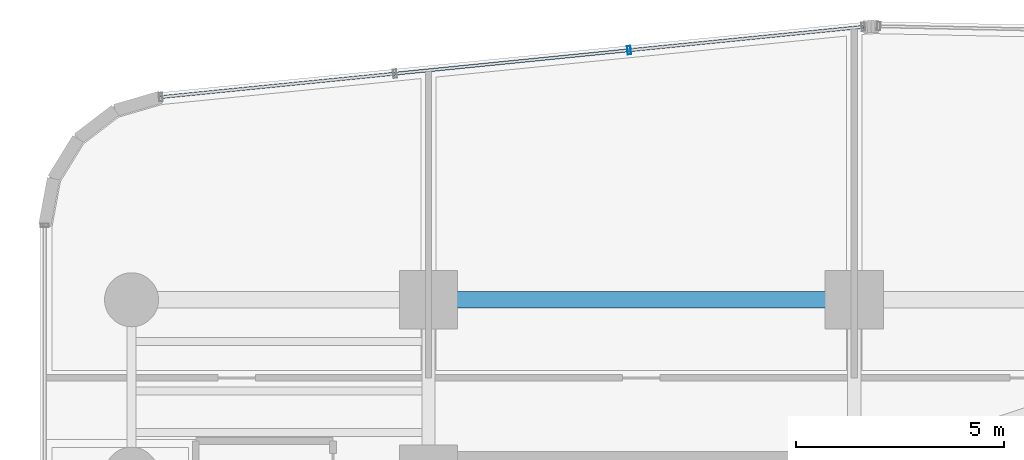
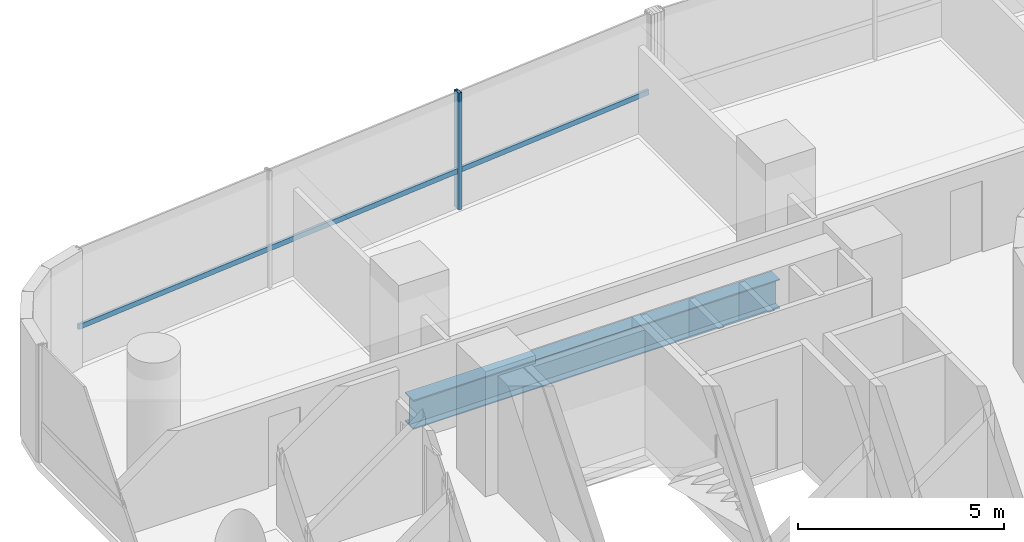
# One storey, part 19 of 39: 2 members, 1 beam, 1 element without a shape of its own.
"""IFC4 building model written with IfcOpenShell, lengths in metres."""

from ifc_helpers import new_model, si_unit, direction, frame, origin, origin_2d, place, context, subcontext, project, spatial, hollow_rectangle, i_section, extrude, source, transform, mapped, material, material_profile, profile_set, type_object, element, aggregate, save


model = new_model("IFC4")

# Units and contexts
model_context = context("Model", 3, precision=1e-05, world=origin(), true_north=direction((0.0, 1.0)))
body_context = subcontext(model_context, "Body", "Model", "MODEL_VIEW")
ifc_project = project(units=[si_unit("LENGTHUNIT", "METRE"), si_unit("AREAUNIT", "SQUARE_METRE"), si_unit("VOLUMEUNIT", "CUBIC_METRE"), si_unit("PLANEANGLEUNIT", "RADIAN"), si_unit("MASSUNIT", "GRAM", prefix="KILO")], contexts=[model_context])

# Site, building, storey
site_placement = place(None, origin())
site = spatial("IfcSite", under=ifc_project, at=site_placement, CompositionType="ELEMENT")
building_placement = place(site_placement, origin())
building = spatial("IfcBuilding", under=site, at=building_placement, Name="Valdorenza Pilgrim Sanctuary Tower", CompositionType="ELEMENT")
storey_placement = place(building_placement, frame((0.0, 0.0, 33.39990234375)))
storey = spatial("IfcBuildingStorey", under=building, at=storey_placement, Name="L07", CompositionType="ELEMENT", Elevation=33.39990234375)

# Beam
ifc_material_1 = material(Name="Steel ASTM A992 Grade 50", Category="steel")
ifc_material_profile_1 = material_profile(ifc_material_1, i_section(OverallWidth=0.39990234375, OverallDepth=0.862060546875, WebThickness=0.019775390625, FlangeThickness=0.032470703125, at=origin_2d()), Name="W33X221")
ifc_profile_set_1 = profile_set([ifc_material_profile_1], Name="Steel ASTM A992 Grade 50")
beam_type = type_object("IfcBeamType", Name="STR-BM-GRD-W33", PredefinedType="BEAM", material=ifc_profile_set_1)
shared_shape_1 = source(origin(), body_context, "Body", "SweptSolid", [
    extrude(i_section(OverallWidth=0.39990234375, OverallDepth=0.862060546875, WebThickness=0.019775390625, FlangeThickness=0.032470703125, at=origin_2d()), origin(), (0.0, 0.0, 1.0), 10.25),
])
beam_placement = place(storey_placement, frame((-22.64990234375, 14.800048828125, -0.6708984375), z_axis=(1.0, 0.0, 0.0), x_axis=(0.0, 1.0, 0.0)))
element("IfcBeam", 1, at=beam_placement, inside=storey, type_object=beam_type, Name="L07 Floor Girder CA-XC-N2", PredefinedType="BEAM", context=body_context, shape_type="MappedRepresentation", body=[
    mapped(shared_shape_1, transform((0.0, 0.0, 0.0), x_axis=(1.0, 0.0, 0.0), y_axis=(0.0, 1.0, 0.0), z_axis=(0.0, 0.0, 1.0), scale=1.0)),
])

# Curtain wall, members
ifc_material_2 = material(Name="Curtain-wall IGU glazing", Category="glass")
curtain_wall_type = type_object("IfcCurtainWallType", Name="CW-SYS-02", PredefinedType="NOTDEFINED", material=ifc_material_2)
curtain_wall_placement = place(storey_placement, origin())
curtain_wall = element("IfcCurtainWall", 2, at=curtain_wall_placement, inside=storey, type_object=curtain_wall_type, Name="L07 Curtain Wall CW-L07-1-6", PredefinedType="NOTDEFINED")
ifc_material_3 = material(Name="Anodised aluminium AW-6060", Category="aluminium")
ifc_material_profile_2 = material_profile(ifc_material_3, hollow_rectangle(XDim=0.074951171875, YDim=0.14990234375, WallThickness=0.00390625, at=origin_2d()), Name="ALU-T 150x75x4")
ifc_profile_set_2 = profile_set([ifc_material_profile_2], Name="Anodised aluminium AW-6060")
member_type_1 = type_object("IfcMemberType", Name="CW-TRN-02", PredefinedType="USERDEFINED", material=ifc_profile_set_2)
shared_shape_2 = source(origin(), body_context, "Body", "SweptSolid", [
    extrude(hollow_rectangle(XDim=0.074951171875, YDim=0.14990234375, WallThickness=0.00390625, at=origin_2d()), origin(), (0.0, 0.0, 1.0), 17.0),
])
member_1_placement = place(storey_placement, frame((-29.097412109375, 19.6796875, 1.1201171875), z_axis=(0.99503662143, 0.099509406661, 0.0), x_axis=(-0.099509406661, 0.99503662143, 0.0)))
member_1 = element("IfcMember", 3, at=member_1_placement, type_object=member_type_1, Name="CW-L07-1-6 Transom 1", ObjectType="TRANSOM", PredefinedType="USERDEFINED", context=body_context, shape_type="MappedRepresentation", body=[
    mapped(shared_shape_2, transform((0.0, 0.0, 0.0), x_axis=(1.0, 0.0, 0.0), y_axis=(0.0, 1.0, 0.0), z_axis=(0.0, 0.0, 1.0), scale=1.0)),
])
ifc_material_profile_3 = material_profile(ifc_material_3, hollow_rectangle(XDim=0.0849609375, YDim=0.199951171875, WallThickness=0.0048828125, at=origin_2d()), Name="ALU-M 200x85x5")
ifc_profile_set_3 = profile_set([ifc_material_profile_3], Name="Anodised aluminium AW-6060")
member_type_2 = type_object("IfcMemberType", Name="CW-MUL-02", PredefinedType="MULLION", material=ifc_profile_set_3)
shared_shape_3 = source(origin(), body_context, "Body", "SweptSolid", [
    extrude(hollow_rectangle(XDim=0.0849609375, YDim=0.199951171875, WallThickness=0.0048828125, at=origin_2d()), origin(), (0.0, 0.0, 1.0), 3.460205078125),
])
member_2_placement = place(storey_placement, frame((-17.820556640625, 20.8076171875, 0.0), z_axis=(0.0, 0.0, 1.0), x_axis=(0.995038220239, 0.099493418189, 0.0)))
member_2 = element("IfcMember", 4, at=member_2_placement, type_object=member_type_2, Name="CW-L07-1-6 Mullion 3", PredefinedType="MULLION", context=body_context, shape_type="MappedRepresentation", body=[
    mapped(shared_shape_3, transform((0.0, 0.0, 0.0), x_axis=(1.0, 0.0, 0.0), y_axis=(0.0, 1.0, 0.0), z_axis=(0.0, 0.0, 1.0), scale=1.0)),
])
aggregate(curtain_wall, [member_2, member_1])

save(model, "model.ifc")
